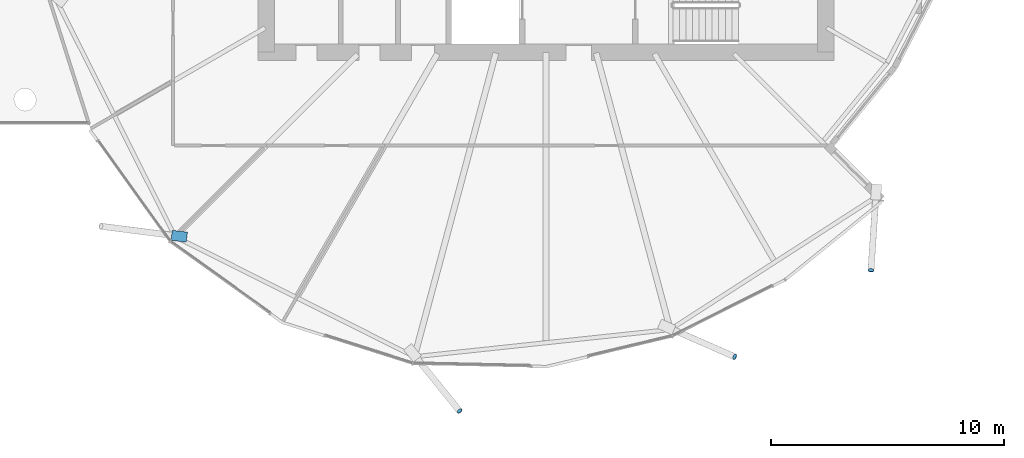
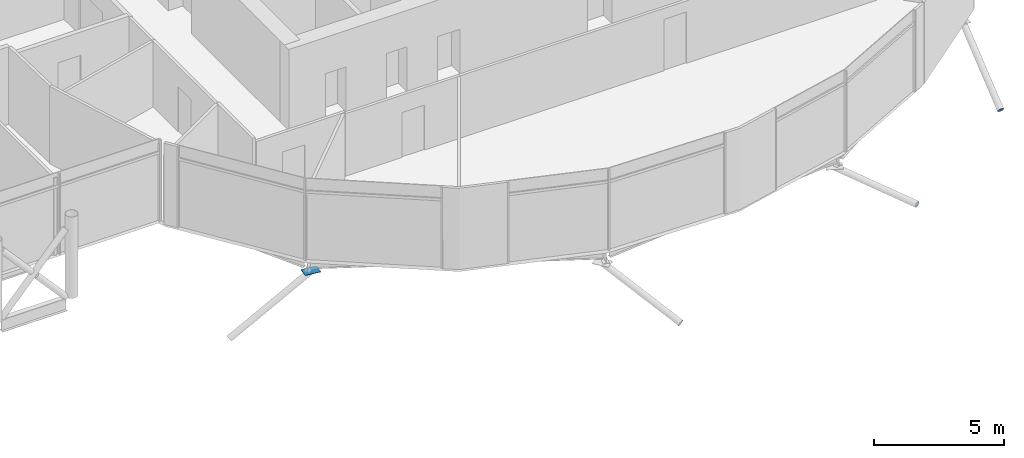
# One storey, part 33 of 39: 4 discrete accessories.
"""IFC4 building model written with IfcOpenShell, lengths in metres."""

from ifc_helpers import new_model, si_unit, direction, frame, origin, origin_2d, place, context, subcontext, project, spatial, polyline, rectangle, circle, outline, extrude, material, material_profile, profile_set, type_object, element, save


model = new_model("IFC4")

# Units and contexts
model_context = context("Model", 3, precision=1e-05, world=origin(), true_north=direction((0.0, 1.0)))
body_context = subcontext(model_context, "Body", "Model", "MODEL_VIEW")
ifc_project = project(units=[si_unit("LENGTHUNIT", "METRE"), si_unit("AREAUNIT", "SQUARE_METRE"), si_unit("VOLUMEUNIT", "CUBIC_METRE"), si_unit("PLANEANGLEUNIT", "RADIAN"), si_unit("MASSUNIT", "GRAM", prefix="KILO")], contexts=[model_context])

# Site, building, storey
site_placement = place(None, origin())
site = spatial("IfcSite", under=ifc_project, at=site_placement, CompositionType="ELEMENT")
building_placement = place(site_placement, origin())
building = spatial("IfcBuilding", under=site, at=building_placement, Name="Rimbun Link Towers", CompositionType="ELEMENT")
storey_placement = place(building_placement, frame((0.0, 0.0, 139.199951171875)))
storey = spatial("IfcBuildingStorey", under=building, at=storey_placement, Name="L33", CompositionType="ELEMENT", Elevation=139.199951171875)

# Discrete accessories
ifc_material_1 = material(Name="Steel S355J2H", Category="steel")
ifc_material_profile_1 = material_profile(ifc_material_1, circle(Radius=0.1240234375, at=origin_2d()), Name="PL D248")
ifc_profile_set_1 = profile_set([ifc_material_profile_1], Name="Steel S355J2H")
discrete_accessory_type_1 = type_object("IfcDiscreteAccessoryType", Name="Link foot sealing plate D248X20", PredefinedType="BRACKET", material=ifc_profile_set_1)
for number, where, z_axis, x_axis, name in (
    (1, (28.03857421875, -23.38525390625, -2.883544921875), (0.537505444318, -0.659665772572, -0.525289411492), (0.775234985517, 0.631672951162, 0.0), "Link foot sealing plate T2 L33 14"),
    (2, (39.837646484375, -21.060791015625, -2.879638671875), (0.7801977793, -0.341336528444, -0.524195382968), (0.40081883402, 0.916157334902, 0.0), "Link foot sealing plate T2 L33 16"),
    (3, (45.69140625, -17.34521484375, -2.76416015625), (-0.048820437584, -0.842152548321, -0.537024813422), (0.998323904123, -0.057873849514, 0.0), "Link foot sealing plate T2 L33 18"),
):
    element("IfcDiscreteAccessory", number, at=place(storey_placement, frame(where, z_axis=z_axis, x_axis=x_axis)), inside=storey, type_object=discrete_accessory_type_1, Name=name, PredefinedType="BRACKET", context=body_context, shape_type="SweptSolid", body=[
        extrude(circle(Radius=0.1240234375, at=origin_2d()), origin(), (0.0, 0.0, 1.0), 0.02001953125),
    ])
ifc_material_2 = material(Name="Steel S355J2H", Category="steel")
ifc_material_profile_2 = material_profile(ifc_material_2, rectangle(XDim=0.43310546875, YDim=0.43310546875, at=origin_2d()), Name="PL 433x433")
ifc_profile_set_2 = profile_set([ifc_material_profile_2], Name="Steel S355J2H")
discrete_accessory_type_2 = type_object("IfcDiscreteAccessoryType", Name="Link head end plate 433X20", PredefinedType="BRACKET", material=ifc_profile_set_2)
discrete_accessory_placement = place(storey_placement, frame((0.0, 0.0, -0.802490234375)))
element("IfcDiscreteAccessory", 4, at=discrete_accessory_placement, inside=storey, type_object=discrete_accessory_type_2, Name="Link head end plate T2 L33 12", PredefinedType="BRACKET", context=body_context, shape_type="SweptSolid", body=[
    extrude(outline(polyline([(16.369384765625, -15.719482421875), (15.71923828125, -15.636474609375), (15.66455078125, -16.06591796875), (16.314697265625, -16.14892578125), (16.369384765625, -15.719482421875)])), origin(), (0.0, 0.0, 1.0), 0.02001953125),
])

save(model, "model.ifc")
